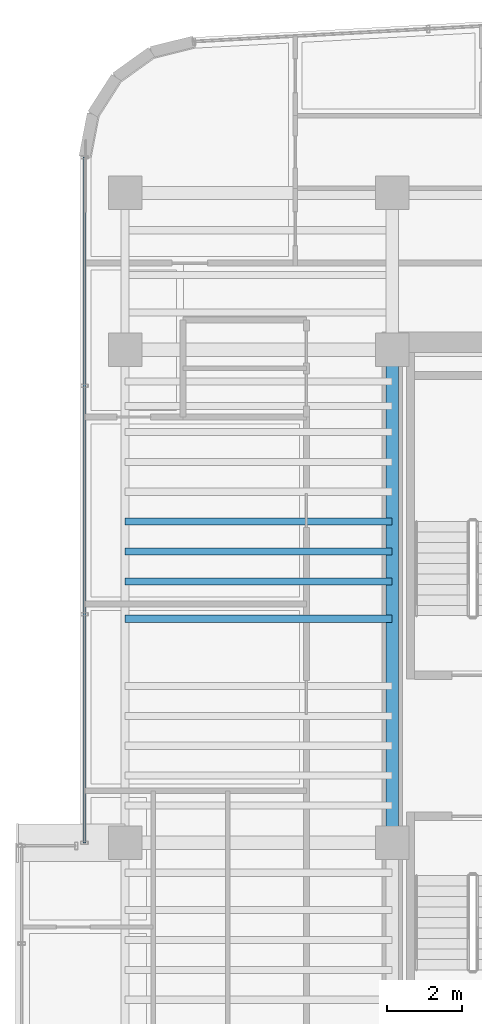
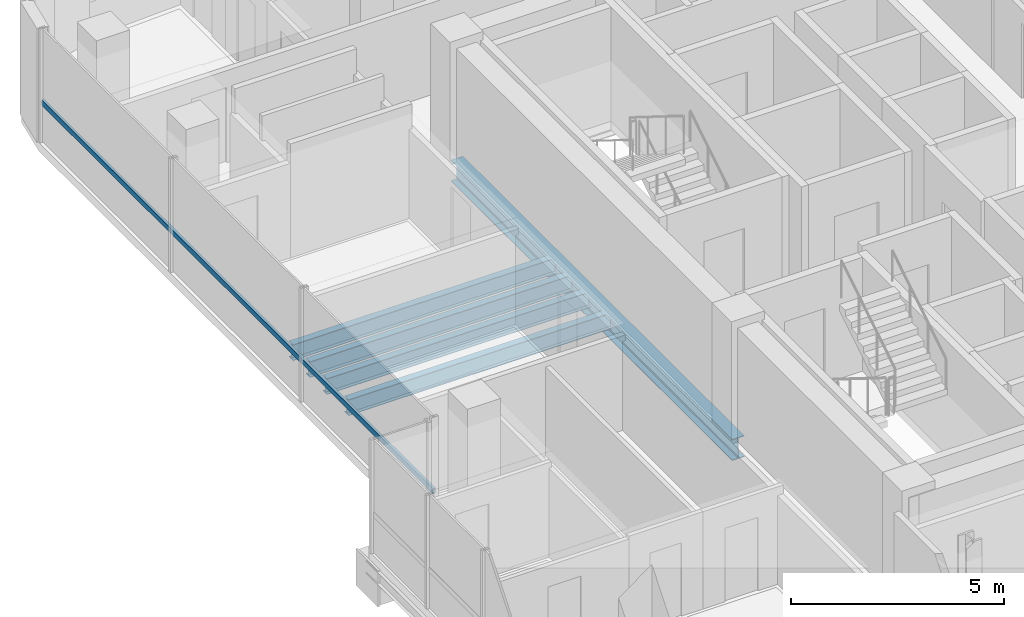
# One storey, part 8 of 24: 5 beams, 1 member, 1 element without a shape of its own.
"""IFC4 building model written with IfcOpenShell, lengths in metres."""

from ifc_helpers import new_model, si_unit, direction, frame, origin, origin_2d, place, context, subcontext, project, spatial, hollow_rectangle, i_section, extrude, source, transform, mapped, material, material_profile, profile_set, type_object, element, aggregate, save


model = new_model("IFC4")

# Units and contexts
model_context = context("Model", 3, precision=1e-05, world=origin(), true_north=direction((0.0, 1.0)))
body_context = subcontext(model_context, "Body", "Model", "MODEL_VIEW")
ifc_project = project(units=[si_unit("LENGTHUNIT", "METRE"), si_unit("AREAUNIT", "SQUARE_METRE"), si_unit("VOLUMEUNIT", "CUBIC_METRE"), si_unit("PLANEANGLEUNIT", "RADIAN"), si_unit("MASSUNIT", "GRAM", prefix="KILO")], contexts=[model_context])

# Site, building, storey
site_placement = place(None, origin())
site = spatial("IfcSite", under=ifc_project, at=site_placement, CompositionType="ELEMENT")
building_placement = place(site_placement, origin())
building = spatial("IfcBuilding", under=site, at=building_placement, Name="Valdorenza Pilgrim Sanctuary Tower", CompositionType="ELEMENT")
storey_placement = place(building_placement, frame((0.0, 0.0, 205.5)))
storey = spatial("IfcBuildingStorey", under=building, at=storey_placement, Name="L52", CompositionType="ELEMENT", Elevation=205.5)

# Beams
ifc_material_1 = material(Name="Steel ASTM A992 Grade 50", Category="steel")
ifc_material_profile_1 = material_profile(ifc_material_1, i_section(OverallWidth=0.323974609375, OverallDepth=0.611083984375, WebThickness=0.0126953125, FlangeThickness=0.01904296875, at=origin_2d()), Name="W24X104")
ifc_profile_set_1 = profile_set([ifc_material_profile_1], Name="Steel ASTM A992 Grade 50")
beam_type_1 = type_object("IfcBeamType", Name="STR-BM-GRD-W24B", PredefinedType="BEAM", material=ifc_profile_set_1)
shared_shape_1 = source(origin(), body_context, "Body", "SweptSolid", [
    extrude(i_section(OverallWidth=0.323974609375, OverallDepth=0.611083984375, WebThickness=0.0126953125, FlangeThickness=0.01904296875, at=origin_2d()), origin(), (0.0, 0.0, 1.0), 13.2001953125),
])
beam_placement = place(storey_placement, frame((-22.64990234375, -2.60009765625, -0.54541015625), z_axis=(0.0, 1.0, 0.0), x_axis=(-1.0, 0.0, 0.0)))
element("IfcBeam", 1, at=beam_placement, inside=storey, type_object=beam_type_1, Name="L52 Core Tie Girder CA-W-M0N1", PredefinedType="BEAM", context=body_context, shape_type="MappedRepresentation", body=[
    mapped(shared_shape_1, transform((0.0, 0.0, 0.0), x_axis=(1.0, 0.0, 0.0), y_axis=(0.0, 1.0, 0.0), z_axis=(0.0, 0.0, 1.0), scale=1.0)),
])
ifc_material_profile_2 = material_profile(ifc_material_1, i_section(OverallWidth=0.19091796875, OverallDepth=0.45703125, WebThickness=0.009033203125, FlangeThickness=0.014404296875, at=origin_2d()), Name="W18X50")
ifc_profile_set_2 = profile_set([ifc_material_profile_2], Name="Steel ASTM A992 Grade 50")
beam_type_2 = type_object("IfcBeamType", Name="STR-BM-JST-W18B", PredefinedType="JOIST", material=ifc_profile_set_2)
shared_shape_2 = source(origin(), body_context, "Body", "SweptSolid", [
    extrude(i_section(OverallWidth=0.19091796875, OverallDepth=0.45703125, WebThickness=0.009033203125, FlangeThickness=0.014404296875, at=origin_2d()), origin(), (0.0, 0.0, 1.0), 7.150146484375),
])
for number, where, z_axis, x_axis, name in (
    (2, (-29.800048828125, 3.39990234375, -0.468505859375), (1.0, 0.0, 0.0), (0.0, 1.0, 0.0), "L52 Composite Floor Joist JST-WA-15"),
    (3, (-29.800048828125, 4.39990234375, -0.468505859375), (1.0, 0.0, 0.0), (0.0, 1.0, 0.0), "L52 Composite Floor Joist JST-WA-16"),
    (4, (-29.800048828125, 5.199951171875, -0.468505859375), (1.0, 0.0, 0.0), (0.0, 1.0, 0.0), "L52 Composite Floor Joist JST-WA-17"),
    (5, (-29.800048828125, 6.0, -0.468505859375), (1.0, 0.0, 0.0), (0.0, 1.0, 0.0), "L52 Composite Floor Joist JST-WA-18"),
):
    element("IfcBeam", number, at=place(storey_placement, frame(where, z_axis=z_axis, x_axis=x_axis)), inside=storey, type_object=beam_type_2, Name=name, PredefinedType="JOIST", context=body_context, shape_type="MappedRepresentation", body=[
        mapped(shared_shape_2, transform((0.0, 0.0, 0.0), x_axis=(1.0, 0.0, 0.0), y_axis=(0.0, 1.0, 0.0), z_axis=(0.0, 0.0, 1.0), scale=1.0)),
    ])

# Curtain wall, member
ifc_material_2 = material(Name="Curtain-wall IGU glazing", Category="glass")
curtain_wall_type = type_object("IfcCurtainWallType", Name="CW-SYS-02", PredefinedType="NOTDEFINED", material=ifc_material_2)
curtain_wall_placement = place(storey_placement, origin())
curtain_wall = element("IfcCurtainWall", 6, at=curtain_wall_placement, inside=storey, type_object=curtain_wall_type, Name="L52 Curtain Wall CW-L52-1-1S2", PredefinedType="NOTDEFINED")
ifc_material_3 = material(Name="Anodised aluminium AW-6060", Category="aluminium")
ifc_material_profile_3 = material_profile(ifc_material_3, hollow_rectangle(XDim=0.074951171875, YDim=0.14990234375, WallThickness=0.00390625, at=origin_2d()), Name="ALU-T 150x75x4")
ifc_profile_set_3 = profile_set([ifc_material_profile_3], Name="Anodised aluminium AW-6060")
member_type = type_object("IfcMemberType", Name="CW-TRN-02", PredefinedType="USERDEFINED", material=ifc_profile_set_3)
shared_shape_3 = source(origin(), body_context, "Body", "SweptSolid", [
    extrude(hollow_rectangle(XDim=0.074951171875, YDim=0.14990234375, WallThickness=0.00390625, at=origin_2d()), origin(), (0.0, 0.0, 1.0), 18.357666015625),
])
member_placement = place(storey_placement, frame((-30.889892578125, -2.60009765625, 1.1201171875), z_axis=(0.0, 1.0, 0.0), x_axis=(-1.0, 0.0, 0.0)))
member = element("IfcMember", 7, at=member_placement, type_object=member_type, Name="CW-L52-1-1S2 Transom 1", ObjectType="TRANSOM", PredefinedType="USERDEFINED", context=body_context, shape_type="MappedRepresentation", body=[
    mapped(shared_shape_3, transform((0.0, 0.0, 0.0), x_axis=(1.0, 0.0, 0.0), y_axis=(0.0, 1.0, 0.0), z_axis=(0.0, 0.0, 1.0), scale=1.0)),
])
aggregate(curtain_wall, [member])

save(model, "model.ifc")
